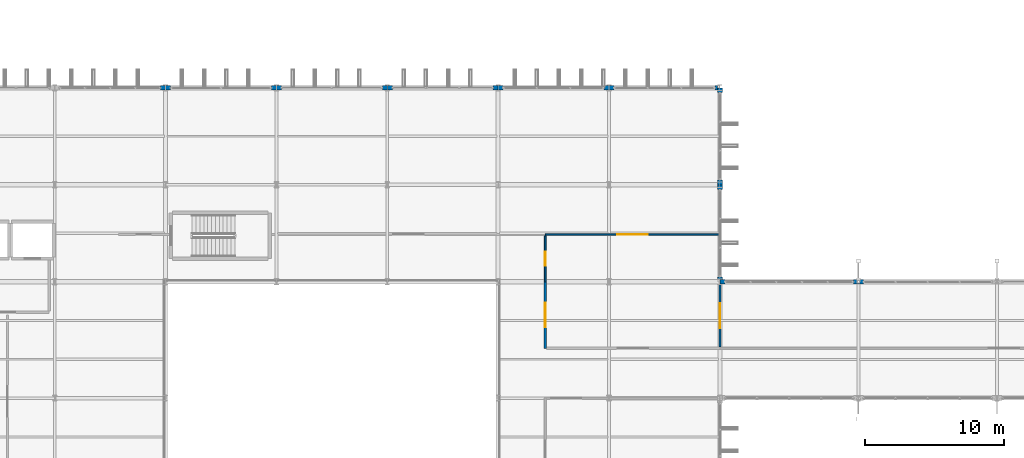
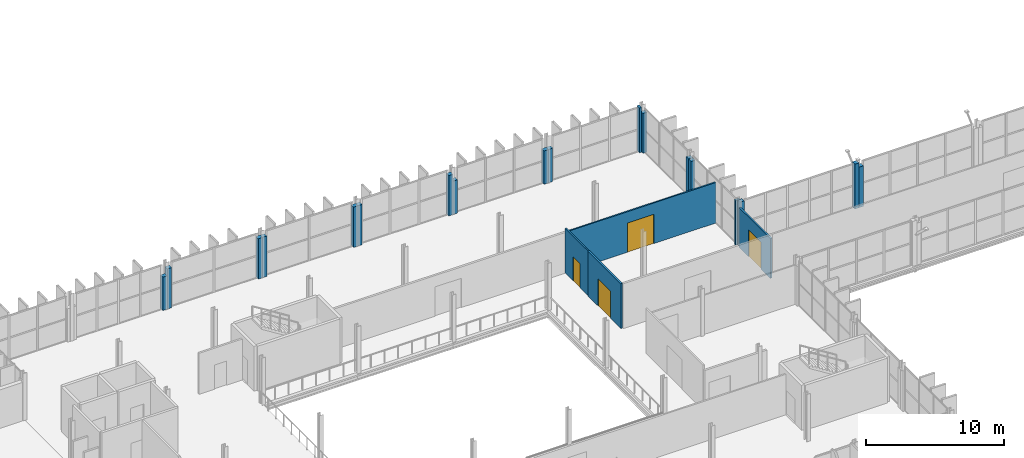
# One storey, part 83 of 101: 22 walls, 4 doors, 4 openings.
"""IFC4 building model written with IfcOpenShell, lengths in metres."""

import ifcopenshell
import ifcopenshell.guid

model = None  # the IFC model being written
_history = None  # IfcOwnerHistory: only IFC2X3 demands one
_inside = {}  # id of a spatial element -> (the spatial element, [elements in it])
_under = {}  # id of a project, library or spatial element -> (it, [spatial elements below it])
_declared = {}  # id of a project -> (the project, [libraries it declares])
_typed = {}  # id of a type object -> (the type object, [elements of that type])
_made_of = {}  # id of a material, layer set ... -> (it, [elements and type objects made of it])


def new_model(schema):
    """Start an empty IFC model of exactly this schema.

    Asked for "IFC4X3", IfcOpenShell would pick the latest addendum, in which some entities
    have other attributes; the version numbers below select the first issue.
    IFC2X3 requires an IfcOwnerHistory on every rooted entity: one is made here for all.
    """
    global model, _history
    if schema == "IFC4X3":
        model = ifcopenshell.file(schema_version=(4, 3, 0, 0))
    else:
        model = ifcopenshell.file(schema=schema)
    _inside.clear()
    _under.clear()
    _declared.clear()
    _typed.clear()
    _made_of.clear()
    _history = None
    if model.schema == "IFC2X3":
        org = make("IfcOrganization", Name="unknown")
        user = make(
            "IfcPersonAndOrganization",
            ThePerson=make("IfcPerson", FamilyName="unknown"),
            TheOrganization=org,
        )
        app = make(
            "IfcApplication",
            ApplicationDeveloper=org,
            Version="unknown",
            ApplicationFullName="unknown",
            ApplicationIdentifier="unknown",
        )
        _history = make(
            "IfcOwnerHistory",
            OwningUser=user,
            OwningApplication=app,
            ChangeAction="ADDED",
            CreationDate=0,
        )
    return model


def make(cls, **values):
    """One entity of the class cls with the attributes given. An attribute that is None is left unset."""
    return model.create_entity(
        cls, **{name: value for name, value in values.items() if value is not None}
    )


def rooted(cls, **values):
    """An entity with a GlobalId (a new one), such as an element, a storey or a relation."""
    return make(cls, GlobalId=ifcopenshell.guid.new(), OwnerHistory=_history, **values)


def si_unit(unit_type, name, prefix=None):
    """IfcSIUnit, for example si_unit("LENGTHUNIT", "METRE", prefix="MILLI")."""
    return make("IfcSIUnit", UnitType=unit_type, Prefix=prefix, Name=name)


def assignment(units):
    """IfcUnitAssignment: the units of a project."""
    return None if units is None else make("IfcUnitAssignment", Units=units)


def point(xyz):
    """IfcCartesianPoint."""
    return None if xyz is None else make("IfcCartesianPoint", Coordinates=xyz)


def direction(xyz):
    """IfcDirection."""
    return None if xyz is None else make("IfcDirection", DirectionRatios=xyz)


def frame(location, z_axis=None, x_axis=None):
    """IfcAxis2Placement3D, a coordinate frame: its origin and axes. An axis left out is left unset."""
    return make(
        "IfcAxis2Placement3D",
        Location=point(location),
        Axis=direction(z_axis),
        RefDirection=direction(x_axis),
    )


def frame_2d(location, x_axis=None):
    """IfcAxis2Placement2D, a coordinate frame in the plane: its origin and x axis."""
    return make(
        "IfcAxis2Placement2D", Location=point(location), RefDirection=direction(x_axis)
    )


def origin():
    """The frame at (0, 0, 0) with its axes left unset."""
    return frame((0.0, 0.0, 0.0))


def place(relative_to, where):
    """IfcLocalPlacement: puts the frame where relative to a parent placement (None: the world)."""
    return make(
        "IfcLocalPlacement", PlacementRelTo=relative_to, RelativePlacement=where
    )


def context(
    kind, dimensions, precision=None, world=None, true_north=None, identifier=None
):
    """IfcGeometricRepresentationContext, for example the 3D "Model" context."""
    return make(
        "IfcGeometricRepresentationContext",
        ContextIdentifier=identifier,
        ContextType=kind,
        CoordinateSpaceDimension=dimensions,
        Precision=precision,
        WorldCoordinateSystem=world,
        TrueNorth=true_north,
    )


def subcontext(parent, identifier, kind, view, scale=None):
    """IfcGeometricRepresentationSubContext, for example "Body" below "Model"."""
    return make(
        "IfcGeometricRepresentationSubContext",
        ContextIdentifier=identifier,
        ContextType=kind,
        ParentContext=parent,
        TargetScale=scale,
        TargetView=view,
    )


def project(units=None, contexts=None):
    """IfcProject with its units and contexts."""
    return rooted(
        "IfcProject",
        Name="project",
        RepresentationContexts=contexts,
        UnitsInContext=assignment(units),
    )


def spatial(cls, under=None, at=None, **own):
    """A site, building, storey or space (cls), placed at a placement, below another one or the project."""
    s = rooted(cls, ObjectPlacement=at, **own)
    if under is not None:
        _under.setdefault(under.id(), (under, []))[1].append(s)
    return s


def profile(cls, at=None, kind="AREA", **sizes):
    """A parametric profile (cls). Its sizes go by their IFC names, for example OverallWidth=200.0."""
    return make(cls, ProfileType=kind, Position=at, **sizes)


def rectangle(**sizes):
    """IfcRectangleProfileDef."""
    return profile("IfcRectangleProfileDef", **sizes)


def extrude(swept, where, along, depth):
    """IfcExtrudedAreaSolid: the profile swept, set in the frame where, extruded along a direction by depth."""
    return make(
        "IfcExtrudedAreaSolid",
        SweptArea=swept,
        Position=where,
        ExtrudedDirection=direction(along),
        Depth=depth,
    )


def shape(context_of_items, identifier, shape_type, items):
    """IfcShapeRepresentation: the items that make up one representation, for example the "Body"."""
    return make(
        "IfcShapeRepresentation",
        ContextOfItems=context_of_items,
        RepresentationIdentifier=identifier,
        RepresentationType=shape_type,
        Items=items,
    )


def material(Name=None, Category=None):
    """IfcMaterial."""
    return make("IfcMaterial", Name=Name, Category=Category)


def layer(
    of_material, thickness, ventilated=None, Name=None, Category=None, Priority=None
):
    """IfcMaterialLayer: one layer of a wall or slab, of a material (None: an air gap)."""
    return make(
        "IfcMaterialLayer",
        Material=of_material,
        LayerThickness=thickness,
        IsVentilated=ventilated,
        Name=Name,
        Category=Category,
        Priority=Priority,
    )


def layer_set(layers, Name=None):
    """IfcMaterialLayerSet."""
    return make("IfcMaterialLayerSet", MaterialLayers=layers, LayerSetName=Name)


def made_of(thing, what):
    """Note that an element or type object is made of a material, layer set ...; save() writes the relation."""
    if what is not None:
        _made_of.setdefault(what.id(), (what, []))[1].append(thing)
    return thing


def type_object(cls, material=None, **own):
    """A type object (cls), such as IfcWallType, which elements share."""
    return made_of(rooted(cls, **own), material)


def element(
    cls,
    number,
    at=None,
    inside=None,
    cuts=None,
    type_object=None,
    material=None,
    context=None,
    identifier="Body",
    shape_type=None,
    held_by="IfcProductDefinitionShape",
    body=None,
    shapes=None,
    **own,
):
    """One element of the class cls, such as IfcWall. Its Tag is "e" and its number.

    at: its placement. inside: the storey or other place that contains it. cuts: it is an
    opening in that element (IfcRelVoidsElement). A single representation is given by context,
    identifier, shape_type and body (its items); several are given by shapes. held_by: the class
    of the entity that holds the representations. save() writes the other relations.
    """
    e = rooted(cls, Tag="e%d" % number, ObjectPlacement=at, **own)
    if body is not None:
        shapes = [shape(context, identifier, shape_type, body)]
    if shapes is not None:
        e.Representation = make(held_by, Representations=shapes)
    if inside is not None:
        _inside.setdefault(inside.id(), (inside, []))[1].append(e)
    if cuts is not None:
        rooted(
            "IfcRelVoidsElement", RelatingBuildingElement=cuts, RelatedOpeningElement=e
        )
    if type_object is not None:
        _typed.setdefault(type_object.id(), (type_object, []))[1].append(e)
    return made_of(e, material)


def fill(opening, filler):
    """IfcRelFillsElement: the door or window that sits in an opening."""
    return rooted(
        "IfcRelFillsElement",
        RelatingOpeningElement=opening,
        RelatedBuildingElement=filler,
    )


def aggregate(whole, parts):
    """IfcRelAggregates: a whole, such as a stair, and the parts it consists of."""
    return rooted("IfcRelAggregates", RelatingObject=whole, RelatedObjects=parts)


def save(model, path):
    """Write the relations noted so far, then the file.

    IfcRelAggregates (storeys below a building ...), IfcRelContainedInSpatialStructure (elements
    in a storey), IfcRelDefinesByType, IfcRelAssociatesMaterial and IfcRelDeclares: one each for
    every whole, place, type object, material and project.
    """
    for whole, parts in _under.values():
        aggregate(whole, parts)
    for where, things in _inside.values():
        rooted(
            "IfcRelContainedInSpatialStructure",
            RelatedElements=things,
            RelatingStructure=where,
        )
    for kind, things in _typed.values():
        rooted("IfcRelDefinesByType", RelatedObjects=things, RelatingType=kind)
    for what, things in _made_of.values():
        rooted("IfcRelAssociatesMaterial", RelatedObjects=things, RelatingMaterial=what)
    for by, libraries in _declared.values():
        rooted("IfcRelDeclares", RelatingContext=by, RelatedDefinitions=libraries)
    model.write(path)


model = new_model("IFC4")

# Units and contexts
model_context = context("Model", 3, precision=1e-05, world=origin(), true_north=direction((0.0, 1.0)))
body_context = subcontext(model_context, "Body", "Model", "MODEL_VIEW")
ifc_project = project(units=[si_unit("LENGTHUNIT", "METRE"), si_unit("AREAUNIT", "SQUARE_METRE"), si_unit("VOLUMEUNIT", "CUBIC_METRE"), si_unit("PLANEANGLEUNIT", "RADIAN"), si_unit("MASSUNIT", "GRAM", prefix="KILO")], contexts=[model_context])

# Site, building, storey
site_placement = place(None, origin())
site = spatial("IfcSite", under=ifc_project, at=site_placement, CompositionType="ELEMENT")
building_placement = place(site_placement, origin())
building = spatial("IfcBuilding", under=site, at=building_placement, Name="Vekula Escarpment Museum", CompositionType="ELEMENT")
storey_placement = place(building_placement, frame((0.0, 0.0, 18.0)))
storey = spatial("IfcBuildingStorey", under=building, at=storey_placement, Name="L04", CompositionType="ELEMENT", Elevation=18.0)

# Walls
ifc_material_1 = material(Name="Inkisi arkosic sandstone masonry", Category="masonry")
ifc_layer_1 = layer(ifc_material_1, 0.35009765625)
ifc_layer_set_1 = layer_set([ifc_layer_1], Name="Inkisi arkosic sandstone masonry")
wall_type_1 = type_object("IfcWallType", Name="WL-ALM-350", PredefinedType="SOLIDWALL", material=ifc_layer_set_1)
wall_1_placement = place(storey_placement, frame((136.360107421875, 76.39990234375, 0.0), z_axis=(0.0, 0.0, 1.0), x_axis=(-1.0, 0.0, 0.0)))
element("IfcWall", 1, at=wall_1_placement, inside=storey, type_object=wall_type_1, Name="Facade Jamb Pier L04-0754B", PredefinedType="SOLIDWALL", context=body_context, shape_type="SweptSolid", body=[
    extrude(rectangle(XDim=0.360107421875, YDim=0.35009765625, at=frame_2d((0.18017578125, 0.0))), origin(), (0.0, 0.0, 1.0), 3.594970703125),
])
for number, where, z_axis, x_axis, name in (
    (2, (136.0, 76.39990234375, 0.0), (0.0, 0.0, 1.0), (-1.0, 0.0, 0.0), "Facade Jamb Pier L04-0755A"),
    (3, (126.360107421875, 76.39990234375, 0.0), (0.0, 0.0, 1.0), (-1.0, 0.0, 0.0), "Facade Jamb Pier L04-0756B"),
):
    element("IfcWall", number, at=place(storey_placement, frame(where, z_axis=z_axis, x_axis=x_axis)), inside=storey, type_object=wall_type_1, Name=name, PredefinedType="SOLIDWALL", context=body_context, shape_type="SweptSolid", body=[
        extrude(rectangle(XDim=0.360107421875, YDim=0.35009765625, at=frame_2d((0.18017578125, 0.0))), origin(), (0.0, 0.0, 1.0), 3.97998046875),
    ])
wall_2_placement = place(storey_placement, frame((126.0, 76.5791015625, 0.0), z_axis=(0.0, 0.0, 1.0), x_axis=(0.0, 1.0, 0.0)))
element("IfcWall", 4, at=wall_2_placement, inside=storey, type_object=wall_type_1, Name="Facade Jamb Pier L04-0757A", PredefinedType="SOLIDWALL", context=body_context, shape_type="SweptSolid", body=[
    extrude(rectangle(XDim=0.180908203125, YDim=0.35009765625, at=frame_2d((0.09033203125, 0.0))), origin(), (0.0, 0.0, 1.0), 3.97998046875),
])
wall_3_placement = place(storey_placement, frame((126.0, 83.0400390625, 0.0), z_axis=(0.0, 0.0, 1.0), x_axis=(0.0, 1.0, 0.0)))
element("IfcWall", 5, at=wall_3_placement, inside=storey, type_object=wall_type_1, Name="Facade Jamb Pier L04-0758B", PredefinedType="SOLIDWALL", context=body_context, shape_type="SweptSolid", body=[
    extrude(rectangle(XDim=0.35986328125, YDim=0.35009765625, at=frame_2d((0.179931640625, 0.0))), origin(), (0.0, 0.0, 1.0), 3.52490234375),
])
wall_4_placement = place(storey_placement, frame((126.0, 83.39990234375, 0.0), z_axis=(0.0, 0.0, 1.0), x_axis=(0.0, 1.0, 0.0)))
element("IfcWall", 6, at=wall_4_placement, inside=storey, type_object=wall_type_1, Name="Facade Jamb Pier L04-0759A", PredefinedType="SOLIDWALL", context=body_context, shape_type="SweptSolid", body=[
    extrude(rectangle(XDim=0.360107421875, YDim=0.35009765625, at=frame_2d((0.18017578125, 0.0))), origin(), (0.0, 0.0, 1.0), 3.52490234375),
])
wall_5_placement = place(storey_placement, frame((126.0, 90.0400390625, 0.0), z_axis=(0.0, 0.0, 1.0), x_axis=(0.0, 1.0, 0.0)))
element("IfcWall", 7, at=wall_5_placement, inside=storey, type_object=wall_type_1, Name="Facade Jamb Pier L04-0760B", PredefinedType="SOLIDWALL", context=body_context, shape_type="SweptSolid", body=[
    extrude(rectangle(XDim=0.35986328125, YDim=0.35009765625, at=frame_2d((0.179931640625, 0.0))), origin(), (0.0, 0.0, 1.0), 3.52490234375),
])
wall_6_placement = place(storey_placement, frame((125.821044921875, 90.39990234375, 0.0), z_axis=(0.0, 0.0, 1.0), x_axis=(-1.0, 0.0, 0.0)))
element("IfcWall", 8, at=wall_6_placement, inside=storey, type_object=wall_type_1, Name="Facade Jamb Pier L04-0761A", PredefinedType="SOLIDWALL", context=body_context, shape_type="SweptSolid", body=[
    extrude(rectangle(XDim=0.18115234375, YDim=0.35009765625, at=frame_2d((0.090576171875, 0.0))), origin(), (0.0, 0.0, 1.0), 3.97998046875),
])
for number, where, z_axis, x_axis, name in (
    (9, (118.360107421875, 90.39990234375, 0.0), (0.0, 0.0, 1.0), (-1.0, 0.0, 0.0), "Facade Jamb Pier L04-0762B"),
    (10, (118.0, 90.39990234375, 0.0), (0.0, 0.0, 1.0), (-1.0, 0.0, 0.0), "Facade Jamb Pier L04-0763A"),
    (11, (110.360107421875, 90.39990234375, 0.0), (0.0, 0.0, 1.0), (-1.0, 0.0, 0.0), "Facade Jamb Pier L04-0764B"),
):
    element("IfcWall", number, at=place(storey_placement, frame(where, z_axis=z_axis, x_axis=x_axis)), inside=storey, type_object=wall_type_1, Name=name, PredefinedType="SOLIDWALL", context=body_context, shape_type="SweptSolid", body=[
        extrude(rectangle(XDim=0.360107421875, YDim=0.35009765625, at=frame_2d((0.18017578125, 0.0))), origin(), (0.0, 0.0, 1.0), 2.965087890625),
    ])
for number, where, z_axis, x_axis, name in (
    (12, (110.0, 90.39990234375, 0.0), (0.0, 0.0, 1.0), (-1.0, 0.0, 0.0), "Facade Jamb Pier L04-0765A"),
    (13, (102.360107421875, 90.39990234375, 0.0), (0.0, 0.0, 1.0), (-1.0, 0.0, 0.0), "Facade Jamb Pier L04-0766B"),
    (14, (102.0, 90.39990234375, 0.0), (0.0, 0.0, 1.0), (-1.0, 0.0, 0.0), "Facade Jamb Pier L04-0767A"),
    (15, (94.360107421875, 90.39990234375, 0.0), (0.0, 0.0, 1.0), (-1.0, 0.0, 0.0), "Facade Jamb Pier L04-0768B"),
    (16, (94.0, 90.39990234375, 0.0), (0.0, 0.0, 1.0), (-1.0, 0.0, 0.0), "Facade Jamb Pier L04-0769A"),
    (17, (86.360107421875, 90.39990234375, 0.0), (0.0, 0.0, 1.0), (-1.0, 0.0, 0.0), "Facade Jamb Pier L04-0770B"),
):
    element("IfcWall", number, at=place(storey_placement, frame(where, z_axis=z_axis, x_axis=x_axis)), inside=storey, type_object=wall_type_1, Name=name, PredefinedType="SOLIDWALL", context=body_context, shape_type="SweptSolid", body=[
        extrude(rectangle(XDim=0.360107421875, YDim=0.35009765625, at=frame_2d((0.18017578125, 0.0))), origin(), (0.0, 0.0, 1.0), 3.574951171875),
    ])
wall_7_placement = place(storey_placement, frame((86.0, 90.39990234375, 0.0), z_axis=(0.0, 0.0, 1.0), x_axis=(-1.0, 0.0, 0.0)))
element("IfcWall", 18, at=wall_7_placement, inside=storey, type_object=wall_type_1, Name="Facade Jamb Pier L04-0771A", PredefinedType="SOLIDWALL", context=body_context, shape_type="SweptSolid", body=[
    extrude(rectangle(XDim=0.360107421875, YDim=0.35009765625, at=frame_2d((0.18017578125, 0.0))), origin(), (0.0, 0.0, 1.0), 2.965087890625),
])

# Wall, opening, door
ifc_material_2 = material(Name="Lightweight studio partition", Category="gypsum")
ifc_layer_2 = layer(ifc_material_2, 0.1201171875)
ifc_layer_set_2 = layer_set([ifc_layer_2], Name="Lightweight studio partition")
wall_type_2 = type_object("IfcWallType", Name="WL-PART-120", PredefinedType="PARTITIONING", material=ifc_layer_set_2)
wall_8_placement = place(storey_placement, frame((113.39990234375, 76.39990234375, 0.0), z_axis=(0.0, 0.0, 1.0), x_axis=(0.0, 1.0, 0.0)))
wall_8 = element("IfcWall", 19, at=wall_8_placement, inside=storey, type_object=wall_type_2, Name="Interior Partition WL-INT-L04-0030", PredefinedType="PARTITIONING", context=body_context, shape_type="SweptSolid", body=[
    extrude(rectangle(XDim=3.316162109375, YDim=0.1201171875, at=frame_2d((1.658203125, 0.0))), origin(), (0.0, 0.0, 1.0), 3.97998046875),
])
opening_1_placement = place(wall_8_placement, frame((1.157958984375, 0.0, 0.0)))
opening_1 = element("IfcOpeningElement", 20, at=opening_1_placement, cuts=wall_8, Name="Opening DR-OF10", PredefinedType="OPENING", context=body_context, shape_type="SweptSolid", body=[
    extrude(rectangle(XDim=1.0, YDim=2.14990234375, at=frame_2d((0.5, 1.074951171875))), frame((0.0, 0.070068359375, 0.0), z_axis=(0.0, -1.0, 0.0), x_axis=(1.0, 0.0, 0.0)), (0.0, 0.0, 1.0), 0.14013671875),
])
ifc_material_3 = material(Name="Solid core timber study door", Category="wood")
door_type_1 = type_object("IfcDoorType", Name="DR-OFF-1000x2150", OperationType="NOTDEFINED", PredefinedType="DOOR", material=ifc_material_3)
door_1_placement = place(opening_1_placement, origin())
door_1 = element("IfcDoor", 21, at=door_1_placement, inside=storey, type_object=door_type_1, Name="Interior Door L04-028", OperationType="SINGLE_SWING_RIGHT", OverallHeight=2.14990234375, OverallWidth=1.0, PredefinedType="DOOR", context=body_context, shape_type="SweptSolid", body=[
    extrude(rectangle(XDim=1.0, YDim=2.14990234375, at=frame_2d((0.5, 1.074951171875))), frame((0.0, 0.02490234375, 0.0), z_axis=(0.0, -1.0, 0.0), x_axis=(1.0, 0.0, 0.0)), (0.0, 0.0, 1.0), 0.050048828125),
])
fill(opening_1, door_1)

wall_9_placement = place(storey_placement, frame((113.39990234375, 79.800048828125, 0.0), z_axis=(0.0, 0.0, 1.0), x_axis=(1.0, 0.0, 0.0)))
wall_9 = element("IfcWall", 22, at=wall_9_placement, inside=storey, type_object=wall_type_2, Name="Interior Partition WL-INT-L04-0033", PredefinedType="PARTITIONING", context=body_context, shape_type="SweptSolid", body=[
    extrude(rectangle(XDim=12.60009765625, YDim=0.1201171875, at=frame_2d((6.300048828125, 0.0))), origin(), (0.0, 0.0, 1.0), 3.60498046875),
])
opening_2_placement = place(wall_9_placement, frame((5.199951171875, 0.0, 0.0)))
opening_2 = element("IfcOpeningElement", 23, at=opening_2_placement, cuts=wall_9, Name="Opening DR-GL22", PredefinedType="OPENING", context=body_context, shape_type="SweptSolid", body=[
    extrude(rectangle(XDim=2.199951171875, YDim=2.60009765625, at=frame_2d((1.10009765625, 1.300048828125))), frame((0.0, 0.070068359375, 0.0), z_axis=(0.0, -1.0, 0.0), x_axis=(1.0, 0.0, 0.0)), (0.0, 0.0, 1.0), 0.14013671875),
])
ifc_material_4 = material(Name="Double acoustic timber gallery door", Category="wood")
door_type_2 = type_object("IfcDoorType", Name="DR-GAL-2200x2600", OperationType="NOTDEFINED", PredefinedType="DOOR", material=ifc_material_4)
door_2_placement = place(opening_2_placement, origin())
door_2 = element("IfcDoor", 24, at=door_2_placement, inside=storey, type_object=door_type_2, Name="Interior Door L04-031", OperationType="SINGLE_SWING_LEFT", OverallHeight=2.60009765625, OverallWidth=2.199951171875, PredefinedType="DOOR", context=body_context, shape_type="SweptSolid", body=[
    extrude(rectangle(XDim=2.199951171875, YDim=2.60009765625, at=frame_2d((1.10009765625, 1.300048828125))), frame((0.0, 0.02490234375, 0.0), z_axis=(0.0, -1.0, 0.0), x_axis=(1.0, 0.0, 0.0)), (0.0, 0.0, 1.0), 0.050048828125),
])
fill(opening_2, door_2)

ifc_material_5 = material(Name="Gypsum board dry-lined partition", Category="gypsum")
ifc_layer_3 = layer(ifc_material_5, 0.14990234375)
ifc_layer_set_3 = layer_set([ifc_layer_3], Name="Gypsum board dry-lined partition")
wall_type_3 = type_object("IfcWallType", Name="WL-PART-150", PredefinedType="PARTITIONING", material=ifc_layer_set_3)
wall_10_placement = place(storey_placement, frame((113.39990234375, 71.60009765625, 0.0), z_axis=(0.0, 0.0, 1.0), x_axis=(0.0, 1.0, 0.0)))
wall_10 = element("IfcWall", 25, at=wall_10_placement, inside=storey, type_object=wall_type_3, Name="Interior Partition WL-INT-L04-0026", PredefinedType="PARTITIONING", context=body_context, shape_type="SweptSolid", body=[
    extrude(rectangle(XDim=4.7998046875, YDim=0.14990234375, at=frame_2d((2.39990234375, 0.0))), origin(), (0.0, 0.0, 1.0), 3.97998046875),
])
opening_3_placement = place(wall_10_placement, frame((1.5, 0.0, 0.0)))
opening_3 = element("IfcOpeningElement", 26, at=opening_3_placement, cuts=wall_10, Name="Opening DR-GL18", PredefinedType="OPENING", context=body_context, shape_type="SweptSolid", body=[
    extrude(rectangle(XDim=1.800048828125, YDim=2.39990234375, at=frame_2d((0.89990234375, 1.199951171875))), frame((0.0, 0.0849609375, 0.0), z_axis=(0.0, -1.0, 0.0), x_axis=(1.0, 0.0, 0.0)), (0.0, 0.0, 1.0), 0.169921875),
])
ifc_material_6 = material(Name="Double glazed gallery portal door", Category="steel")
door_type_3 = type_object("IfcDoorType", Name="DR-GAL-1800x2400", OperationType="NOTDEFINED", PredefinedType="DOOR", material=ifc_material_6)
door_3_placement = place(opening_3_placement, origin())
door_3 = element("IfcDoor", 27, at=door_3_placement, inside=storey, type_object=door_type_3, Name="Interior Door L04-024", OperationType="SINGLE_SWING_RIGHT", OverallHeight=2.39990234375, OverallWidth=1.800048828125, PredefinedType="DOOR", context=body_context, shape_type="SweptSolid", body=[
    extrude(rectangle(XDim=1.800048828125, YDim=2.39990234375, at=frame_2d((0.89990234375, 1.199951171875))), frame((0.0, 0.02490234375, 0.0), z_axis=(0.0, -1.0, 0.0), x_axis=(1.0, 0.0, 0.0)), (0.0, 0.0, 1.0), 0.050048828125),
])
fill(opening_3, door_3)

wall_11_placement = place(storey_placement, frame((126.0, 71.68408203125, 0.0), z_axis=(0.0, 0.0, 1.0), x_axis=(0.0, 1.0, 0.0)))
wall_11 = element("IfcWall", 28, at=wall_11_placement, inside=storey, type_object=wall_type_3, Name="Interior Partition WL-INT-L04-0035", PredefinedType="PARTITIONING", context=body_context, shape_type="SweptSolid", body=[
    extrude(rectangle(XDim=4.536865234375, YDim=0.14990234375, at=frame_2d((2.2685546875, 0.0))), origin(), (0.0, 0.0, 1.0), 3.52490234375),
])
opening_4_placement = place(wall_11_placement, frame((1.368408203125, 0.0, 0.0)))
opening_4 = element("IfcOpeningElement", 29, at=opening_4_placement, cuts=wall_11, Name="Opening DR-GL18", PredefinedType="OPENING", context=body_context, shape_type="SweptSolid", body=[
    extrude(rectangle(XDim=1.800048828125, YDim=2.39990234375, at=frame_2d((0.89990234375, 1.199951171875))), frame((0.0, 0.0849609375, 0.0), z_axis=(0.0, -1.0, 0.0), x_axis=(1.0, 0.0, 0.0)), (0.0, 0.0, 1.0), 0.169921875),
])
door_4_placement = place(opening_4_placement, origin())
door_4 = element("IfcDoor", 30, at=door_4_placement, inside=storey, type_object=door_type_3, Name="Interior Door L04-033", OperationType="SINGLE_SWING_LEFT", OverallHeight=2.39990234375, OverallWidth=1.800048828125, PredefinedType="DOOR", context=body_context, shape_type="SweptSolid", body=[
    extrude(rectangle(XDim=1.800048828125, YDim=2.39990234375, at=frame_2d((0.89990234375, 1.199951171875))), frame((0.0, 0.02490234375, 0.0), z_axis=(0.0, -1.0, 0.0), x_axis=(1.0, 0.0, 0.0)), (0.0, 0.0, 1.0), 0.050048828125),
])
fill(opening_4, door_4)

save(model, "model.ifc")
